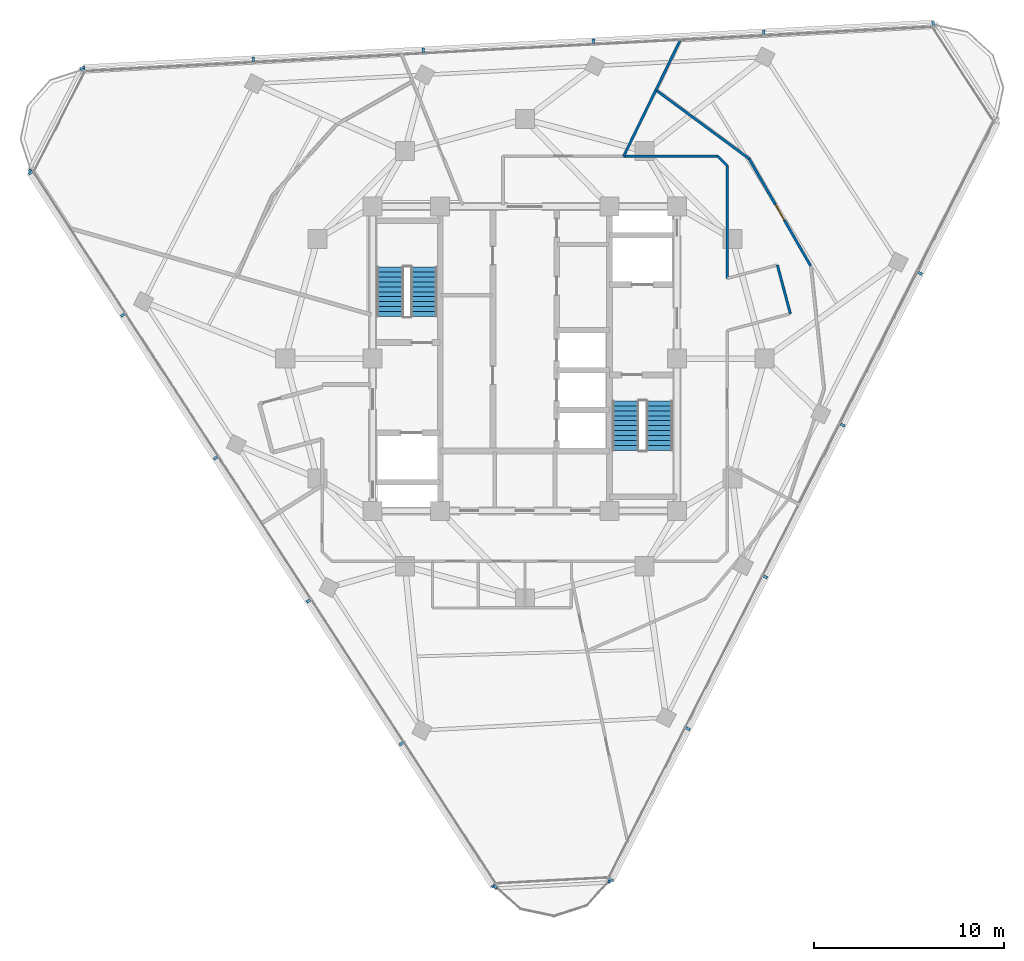
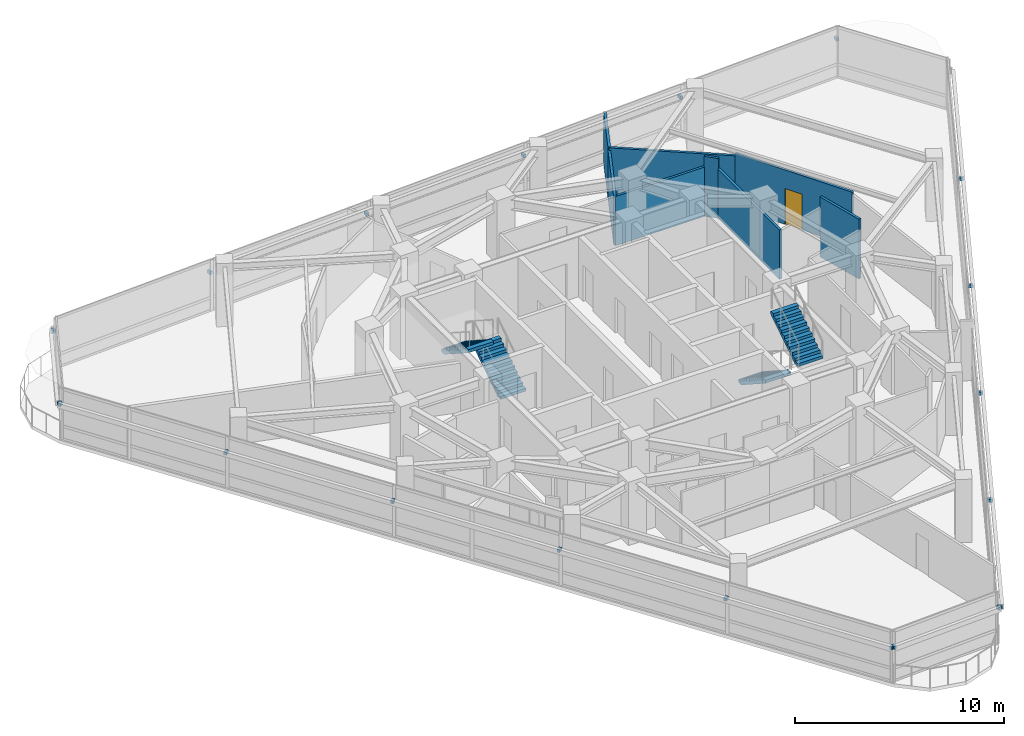
# One storey, part 10 of 15: 21 discrete accessories, 8 walls, 4 stair flights, 1 door, 1 opening, 2 elements without a shape of their own.
"""IFC4 building model written with IfcOpenShell, lengths in metres."""

from ifc_helpers import new_model, si_unit, direction, frame, frame_2d, origin, origin_2d, place, context, subcontext, project, spatial, polyline, rectangle, outline, extrude, material, layer, layer_set, type_object, element, fill, aggregate, save


model = new_model("IFC4")

# Units and contexts
model_context = context("Model", 3, precision=1e-05, world=origin(), true_north=direction((0.0, 1.0)))
body_context = subcontext(model_context, "Body", "Model", "MODEL_VIEW")
ifc_project = project(units=[si_unit("LENGTHUNIT", "METRE"), si_unit("AREAUNIT", "SQUARE_METRE"), si_unit("VOLUMEUNIT", "CUBIC_METRE"), si_unit("PLANEANGLEUNIT", "RADIAN"), si_unit("MASSUNIT", "GRAM", prefix="KILO")], contexts=[model_context])

# Site, building, storey
site_placement = place(None, origin())
site = spatial("IfcSite", under=ifc_project, at=site_placement, CompositionType="ELEMENT")
building_placement = place(site_placement, origin())
building = spatial("IfcBuilding", under=site, at=building_placement, Name="Terralouvre Media Tower", CompositionType="ELEMENT")
storey_placement = place(building_placement, frame((0.0, 0.0, 263.300048828125)))
storey = spatial("IfcBuildingStorey", under=building, at=storey_placement, Name="L68", CompositionType="ELEMENT", Elevation=263.300048828125)

# Walls
ifc_material_1 = material(Name="Fire-rated gypsum board drywall partition")
ifc_layer = layer(ifc_material_1, 0.135009765625, Name="Newsroom Acoustic Partition PT-135")
ifc_layer_set = layer_set([ifc_layer], Name="Fire-rated gypsum board drywall partition")
wall_type = type_object("IfcWallType", Name="Newsroom Acoustic Partition PT-135", PredefinedType="PARTITIONING", material=ifc_layer_set)
wall_1_placement = place(storey_placement, frame((13.9619140625, 2.368896484375, 0.0), z_axis=(0.0, 0.0, 1.0), x_axis=(-0.258413725385, 0.966034340245, 0.0)))
element("IfcWall", 1, at=wall_1_placement, inside=storey, type_object=wall_type, Name="L68 Interior Partition 008", PredefinedType="PARTITIONING", context=body_context, shape_type="SweptSolid", body=[
    extrude(rectangle(XDim=2.650146484375, YDim=0.135009765625, at=frame_2d((1.3251953125, 0.0))), origin(), (0.0, 0.0, 1.0), 3.5),
])
wall_2_placement = place(storey_placement, frame((10.64990234375, 4.22509765625, 0.0), z_axis=(0.0, 0.0, 1.0), x_axis=(0.0, 1.0, 0.0)))
element("IfcWall", 2, at=wall_2_placement, inside=storey, type_object=wall_type, Name="L68 Interior Partition 010", PredefinedType="PARTITIONING", context=body_context, shape_type="SweptSolid", body=[
    extrude(rectangle(XDim=5.9248046875, YDim=0.135009765625, at=frame_2d((2.96240234375, 0.0))), origin(), (0.0, 0.0, 1.0), 2.885009765625),
])
wall_3_placement = place(storey_placement, frame((10.64990234375, 10.14990234375, 0.0), z_axis=(0.0, 0.0, 1.0), x_axis=(-0.707106781187, 0.707106781187, 0.0)))
element("IfcWall", 3, at=wall_3_placement, inside=storey, type_object=wall_type, Name="L68 Interior Partition 011", PredefinedType="PARTITIONING", context=body_context, shape_type="SweptSolid", body=[
    extrude(rectangle(XDim=0.70703125, YDim=0.135009765625, at=frame_2d((0.353515625, 0.0))), origin(), (0.0, 0.0, 1.0), 3.5),
])
wall_4_placement = place(storey_placement, frame((10.14990234375, 10.64990234375, 0.0), z_axis=(0.0, 0.0, 1.0), x_axis=(-1.0, 0.0, 0.0)))
element("IfcWall", 4, at=wall_4_placement, inside=storey, type_object=wall_type, Name="L68 Interior Partition 012", PredefinedType="PARTITIONING", context=body_context, shape_type="SweptSolid", body=[
    extrude(rectangle(XDim=4.955810546875, YDim=0.135009765625, at=frame_2d((2.47802734375, 0.0))), origin(), (0.0, 0.0, 1.0), 2.885009765625),
])

# Wall, opening, door
wall_5_placement = place(storey_placement, frame((15.027099609375, 4.882080078125, 0.0), z_axis=(0.0, 0.0, 1.0), x_axis=(-0.498082419026, 0.867129692639, 0.0)))
wall_5 = element("IfcWall", 5, at=wall_5_placement, inside=storey, type_object=wall_type, Name="L68 Interior Partition 030", PredefinedType="PARTITIONING", context=body_context, shape_type="SweptSolid", body=[
    extrude(rectangle(XDim=6.5029296875, YDim=0.135009765625, at=frame_2d((3.25146484375, 0.0))), origin(), (0.0, 0.0, 1.0), 3.18505859375),
])
opening_placement = place(wall_5_placement, frame((2.79150390625, 0.0, 0.0)))
opening = element("IfcOpeningElement", 6, at=opening_placement, cuts=wall_5, Name="Opening ID-03-92X210", PredefinedType="OPENING", context=body_context, shape_type="SweptSolid", body=[
    extrude(rectangle(XDim=0.919921875, YDim=2.10009765625, at=frame_2d((0.4599609375, 1.050048828125))), frame((0.0, 0.077392578125, 0.0), z_axis=(0.0, -1.0, 0.0), x_axis=(1.0, 0.0, 0.0)), (0.0, 0.0, 1.0), 0.155029296875),
])
ifc_material_2 = material(Name="Engineered hardwood acoustic timber leaf", Category="wood")
door_type = type_object("IfcDoorType", Name="Accessible Restroom and Suite Door ID-03 (920x2100)", OperationType="NOTDEFINED", PredefinedType="DOOR", material=ifc_material_2)
door_placement = place(opening_placement, origin())
door = element("IfcDoor", 7, at=door_placement, inside=storey, type_object=door_type, Name="L68 Breaking Desk Editorial Office 6 Door", OperationType="SINGLE_SWING_LEFT", OverallHeight=2.10009765625, OverallWidth=0.919921875, PredefinedType="DOOR", context=body_context, shape_type="SweptSolid", body=[
    extrude(rectangle(XDim=0.919921875, YDim=2.10009765625, at=frame_2d((0.4599609375, 1.050048828125))), frame((0.0, 0.02490234375, 0.0), z_axis=(0.0, -1.0, 0.0), x_axis=(1.0, 0.0, 0.0)), (0.0, 0.0, 1.0), 0.050048828125),
])
fill(opening, door)

# Walls
wall_6_placement = place(storey_placement, frame((11.7880859375, 10.52099609375, 0.0), z_axis=(0.0, 0.0, 1.0), x_axis=(-0.805162772786, 0.593053883993, 0.0)))
element("IfcWall", 8, at=wall_6_placement, inside=storey, type_object=wall_type, Name="L68 Interior Partition 031", PredefinedType="PARTITIONING", context=body_context, shape_type="SweptSolid", body=[
    extrude(rectangle(XDim=6.08203125, YDim=0.135009765625, at=frame_2d((3.041015625, 0.0))), origin(), (0.0, 0.0, 1.0), 3.034912109375),
])
wall_7_placement = place(storey_placement, frame((6.89111328125, 14.1279296875, 0.0), z_axis=(0.0, 0.0, 1.0), x_axis=(-0.438511877771, -0.898725393573, 0.0)))
element("IfcWall", 9, at=wall_7_placement, inside=storey, type_object=wall_type, Name="L68 Interior Partition 032", PredefinedType="PARTITIONING", context=body_context, shape_type="SweptSolid", body=[
    extrude(rectangle(XDim=3.869873046875, YDim=0.135009765625, at=frame_2d((1.93505859375, 0.0))), origin(), (0.0, 0.0, 1.0), 2.885009765625),
])
wall_8_placement = place(storey_placement, frame((8.19580078125, 16.8046875, 0.0), z_axis=(0.0, 0.0, 1.0), x_axis=(-0.438139314435, -0.898907081486, 0.0)))
element("IfcWall", 10, at=wall_8_placement, inside=storey, type_object=wall_type, Name="L68 Interior Partition 046", PredefinedType="PARTITIONING", context=body_context, shape_type="SweptSolid", body=[
    extrude(rectangle(XDim=2.977783203125, YDim=0.135009765625, at=frame_2d((1.48876953125, 0.0))), origin(), (0.0, 0.0, 1.0), 3.034912109375),
])

# Stair, stair flights
ifc_material_3 = material(Name="Concrete C45/55", Category="concrete")
stair_type_1 = type_object("IfcStairType", Name="Dogleg Stair Assembly ST-01", PredefinedType="HALF_TURN_STAIR", material=ifc_material_3)
stair_1_placement = place(storey_placement, origin())
stair_1 = element("IfcStair", 11, at=stair_1_placement, inside=storey, type_object=stair_type_1, Name="L68 Core Pressurised Exit Stair ST-01", PredefinedType="HALF_TURN_STAIR")
ifc_material_4 = material(Name="Concrete C45/55", Category="concrete")
stair_flight_type = type_object("IfcStairFlightType", Name="Reinforced Concrete Stair Flight SF-RC1", PredefinedType="STRAIGHT", material=ifc_material_4)
stair_flight_1_placement = place(storey_placement, frame((-5.300048828125, 2.219970703125, 0.0), z_axis=(0.0, 0.0, 1.0), x_axis=(0.0, 1.0, 0.0)))
stair_flight_1 = element("IfcStairFlight", 12, at=stair_flight_1_placement, type_object=stair_flight_type, Name="ST-01 flight 1", NumberOfRisers=11, NumberOfTreads=10, PredefinedType="STRAIGHT", RiserHeight=0.168181818, TreadLength=0.26, context=body_context, shape_type="SweptSolid", body=[
    extrude(outline(polyline([(0.0, 0.0), (0.0, 0.168212890625), (0.260009765625, 0.168212890625), (0.260009765625, 0.33642578125), (0.52001953125, 0.33642578125), (0.52001953125, 0.504638671875), (0.780029296875, 0.504638671875), (0.780029296875, 0.672607421875), (1.0400390625, 0.672607421875), (1.0400390625, 0.8408203125), (1.300048828125, 0.8408203125), (1.300048828125, 1.009033203125), (1.56005859375, 1.009033203125), (1.56005859375, 1.17724609375), (1.820068359375, 1.17724609375), (1.820068359375, 1.345458984375), (2.080078125, 1.345458984375), (2.080078125, 1.513671875), (2.340087890625, 1.513671875), (2.340087890625, 1.681884765625), (2.60009765625, 1.681884765625), (2.60009765625, 1.85009765625), (2.60009765625, 1.503173828125), (0.27587890625, 0.0), (0.0, 0.0)])), frame((0.0, 0.699951171875, 0.0), z_axis=(0.0, -1.0, 0.0), x_axis=(1.0, 0.0, 0.0)), (0.0, 0.0, 1.0), 1.39990234375),
])
stair_flight_2_placement = place(storey_placement, frame((-7.080078125, 4.820068359375, 1.849853515625), z_axis=(0.0, 0.0, 1.0), x_axis=(0.0, -1.0, 0.0)))
stair_flight_2 = element("IfcStairFlight", 13, at=stair_flight_2_placement, type_object=stair_flight_type, Name="ST-01 flight 2", NumberOfRisers=11, NumberOfTreads=10, PredefinedType="STRAIGHT", RiserHeight=0.168181818, TreadLength=0.26, context=body_context, shape_type="SweptSolid", body=[
    extrude(outline(polyline([(0.0, 0.0), (0.0, 0.168212890625), (0.260009765625, 0.168212890625), (0.260009765625, 0.33642578125), (0.52001953125, 0.33642578125), (0.52001953125, 0.504638671875), (0.780029296875, 0.504638671875), (0.780029296875, 0.672607421875), (1.0400390625, 0.672607421875), (1.0400390625, 0.8408203125), (1.300048828125, 0.8408203125), (1.300048828125, 1.009033203125), (1.56005859375, 1.009033203125), (1.56005859375, 1.17724609375), (1.820068359375, 1.17724609375), (1.820068359375, 1.345458984375), (2.080078125, 1.345458984375), (2.080078125, 1.513671875), (2.340087890625, 1.513671875), (2.340087890625, 1.681884765625), (2.60009765625, 1.681884765625), (2.60009765625, 1.85009765625), (2.60009765625, 1.503173828125), (0.27587890625, 0.0), (0.0, 0.0)])), frame((0.0, 0.699951171875, 0.0), z_axis=(0.0, -1.0, 0.0), x_axis=(1.0, 0.0, 0.0)), (0.0, 0.0, 1.0), 1.39990234375),
])
aggregate(stair_1, [stair_flight_1, stair_flight_2])

ifc_material_5 = material(Name="Concrete C45/55", Category="concrete")
stair_type_2 = type_object("IfcStairType", Name="Dogleg Stair Assembly ST-02", PredefinedType="HALF_TURN_STAIR", material=ifc_material_5)
stair_2_placement = place(storey_placement, origin())
stair_2 = element("IfcStair", 14, at=stair_2_placement, inside=storey, type_object=stair_type_2, Name="L68 Core Pressurised Exit Stair ST-02", PredefinedType="HALF_TURN_STAIR")
stair_flight_3_placement = place(storey_placement, frame((5.300048828125, -2.219970703125, 0.0), z_axis=(0.0, 0.0, 1.0), x_axis=(0.0, -1.0, 0.0)))
stair_flight_3 = element("IfcStairFlight", 15, at=stair_flight_3_placement, type_object=stair_flight_type, Name="ST-02 flight 1", NumberOfRisers=11, NumberOfTreads=10, PredefinedType="STRAIGHT", RiserHeight=0.168181818, TreadLength=0.26, context=body_context, shape_type="SweptSolid", body=[
    extrude(outline(polyline([(0.0, 0.0), (0.0, 0.168212890625), (0.260009765625, 0.168212890625), (0.260009765625, 0.33642578125), (0.52001953125, 0.33642578125), (0.52001953125, 0.504638671875), (0.780029296875, 0.504638671875), (0.780029296875, 0.672607421875), (1.0400390625, 0.672607421875), (1.0400390625, 0.8408203125), (1.300048828125, 0.8408203125), (1.300048828125, 1.009033203125), (1.56005859375, 1.009033203125), (1.56005859375, 1.17724609375), (1.820068359375, 1.17724609375), (1.820068359375, 1.345458984375), (2.080078125, 1.345458984375), (2.080078125, 1.513671875), (2.340087890625, 1.513671875), (2.340087890625, 1.681884765625), (2.60009765625, 1.681884765625), (2.60009765625, 1.85009765625), (2.60009765625, 1.503173828125), (0.27587890625, 0.0), (0.0, 0.0)])), frame((0.0, 0.699951171875, 0.0), z_axis=(0.0, -1.0, 0.0), x_axis=(1.0, 0.0, 0.0)), (0.0, 0.0, 1.0), 1.39990234375),
])
stair_flight_4_placement = place(storey_placement, frame((7.080078125, -4.820068359375, 1.849853515625), z_axis=(0.0, 0.0, 1.0), x_axis=(0.0, 1.0, 0.0)))
stair_flight_4 = element("IfcStairFlight", 16, at=stair_flight_4_placement, type_object=stair_flight_type, Name="ST-02 flight 2", NumberOfRisers=11, NumberOfTreads=10, PredefinedType="STRAIGHT", RiserHeight=0.168181818, TreadLength=0.26, context=body_context, shape_type="SweptSolid", body=[
    extrude(outline(polyline([(0.0, 0.0), (0.0, 0.168212890625), (0.260009765625, 0.168212890625), (0.260009765625, 0.33642578125), (0.52001953125, 0.33642578125), (0.52001953125, 0.504638671875), (0.780029296875, 0.504638671875), (0.780029296875, 0.672607421875), (1.0400390625, 0.672607421875), (1.0400390625, 0.8408203125), (1.300048828125, 0.8408203125), (1.300048828125, 1.009033203125), (1.56005859375, 1.009033203125), (1.56005859375, 1.17724609375), (1.820068359375, 1.17724609375), (1.820068359375, 1.345458984375), (2.080078125, 1.345458984375), (2.080078125, 1.513671875), (2.340087890625, 1.513671875), (2.340087890625, 1.681884765625), (2.60009765625, 1.681884765625), (2.60009765625, 1.85009765625), (2.60009765625, 1.503173828125), (0.27587890625, 0.0), (0.0, 0.0)])), frame((0.0, 0.699951171875, 0.0), z_axis=(0.0, -1.0, 0.0), x_axis=(1.0, 0.0, 0.0)), (0.0, 0.0, 1.0), 1.39990234375),
])
aggregate(stair_2, [stair_flight_3, stair_flight_4])

# Discrete accessories
ifc_material_6 = material(Name="Anodised extruded aluminium 6063-T6", Category="aluminium")
discrete_accessory_type = type_object("IfcDiscreteAccessoryType", Name="Mullion Stand-Off Baguette Fixing Bracket BK-01", PredefinedType="BRACKET", material=ifc_material_6)
for number, where, z_axis, x_axis, name in (
    (17, (4.52490234375, -27.403564453125, 2.07421875), (0.0, 0.0, 1.0), (0.45399044259, 0.891006553308, 0.0), "CW-L68-F0 Baguette Outrigger Bracket 1.01"),
    (18, (8.57568359375, -19.45361328125, 2.07421875), (0.0, 0.0, 1.0), (0.45399044259, 0.891006553308, 0.0), "CW-L68-F0 Baguette Outrigger Bracket 1.02"),
    (19, (12.643310546875, -11.47021484375, 2.07421875), (0.0, 0.0, 1.0), (0.45399044259, 0.891006553308, 0.0), "CW-L68-F0 Baguette Outrigger Bracket 1.03"),
    (20, (16.711181640625, -3.48681640625, 2.07421875), (0.0, 0.0, 1.0), (0.45399044259, 0.891006553308, 0.0), "CW-L68-F0 Baguette Outrigger Bracket 1.04"),
    (21, (20.77880859375, 4.49658203125, 2.07421875), (0.0, 0.0, 1.0), (0.45399044259, 0.891006553308, 0.0), "CW-L68-F0 Baguette Outrigger Bracket 1.05"),
    (22, (21.4697265625, 17.620361328125, 2.07421875), (0.0, 0.0, 1.0), (-0.998629523875, -0.052336163844, 0.0), "CW-L68-F1 Baguette Outrigger Bracket 1.01"),
    (23, (12.5595703125, 17.153564453125, 2.07421875), (0.0, 0.0, 1.0), (-0.998629523875, -0.052336163844, 0.0), "CW-L68-F1 Baguette Outrigger Bracket 1.02"),
    (24, (3.61181640625, 16.6845703125, 2.07421875), (0.0, 0.0, 1.0), (-0.998629523875, -0.052336163844, 0.0), "CW-L68-F1 Baguette Outrigger Bracket 1.03"),
    (25, (-5.3359375, 16.215576171875, 2.07421875), (0.0, 0.0, 1.0), (-0.998629523875, -0.052336163844, 0.0), "CW-L68-F1 Baguette Outrigger Bracket 1.04"),
    (26, (-14.28369140625, 15.74658203125, 2.07421875), (0.0, 0.0, 1.0), (-0.998629523875, -0.052336163844, 0.0), "CW-L68-F1 Baguette Outrigger Bracket 1.05"),
    (27, (-23.194091796875, 15.27978515625, 2.07421875), (0.0, 0.0, 1.0), (-0.998629523875, -0.052336163844, 0.0), "CW-L68-F1 Baguette Outrigger Bracket 1.06"),
    (28, (-25.99462890625, 9.783203125, 2.07421875), (0.0, 0.0, 1.0), (0.544639069077, -0.838670545826, 0.0), "CW-L68-F2 Baguette Outrigger Bracket 1.01"),
    (29, (-21.135009765625, 2.300048828125, 2.07421875), (0.0, 0.0, 1.0), (0.544639069077, -0.838670545826, 0.0), "CW-L68-F2 Baguette Outrigger Bracket 1.02"),
    (30, (-16.255126953125, -5.21435546875, 2.07421875), (0.0, 0.0, 1.0), (0.544639069077, -0.838670545826, 0.0), "CW-L68-F2 Baguette Outrigger Bracket 1.03"),
    (31, (-11.375244140625, -12.72900390625, 2.07421875), (0.0, 0.0, 1.0), (0.544639069077, -0.838670545826, 0.0), "CW-L68-F2 Baguette Outrigger Bracket 1.04"),
    (32, (-6.4951171875, -20.243408203125, 2.07421875), (0.0, 0.0, 1.0), (0.544639069077, -0.838670545826, 0.0), "CW-L68-F2 Baguette Outrigger Bracket 1.05"),
    (33, (-1.6357421875, -27.726318359375, 2.07421875), (0.0, 0.0, 1.0), (0.544639069077, -0.838670545826, 0.0), "CW-L68-F2 Baguette Outrigger Bracket 1.06"),
    (34, (-1.543212890625, -27.754150390625, 2.07421875), (0.0, 0.0, 1.0), (0.998629533744, 0.05233597552, 0.0), "CW-L68-C0 Baguette Outrigger Bracket 1.01"),
    (35, (4.435791015625, -27.440673828125, 2.07421875), (0.0, 0.0, 1.0), (0.998629533744, 0.05233597552, 0.0), "CW-L68-C0 Baguette Outrigger Bracket 1.02"),
    (36, (-23.26416015625, 15.21337890625, 2.07421875), (0.0, 0.0, 1.0), (-0.453990349937, -0.891006600517, 0.0), "CW-L68-C2 Baguette Outrigger Bracket 1.01"),
    (37, (-25.982177734375, 9.87890625, 2.07421875), (0.0, 0.0, 1.0), (-0.453990349937, -0.891006600517, 0.0), "CW-L68-C2 Baguette Outrigger Bracket 1.02"),
):
    element("IfcDiscreteAccessory", number, at=place(storey_placement, frame(where, z_axis=z_axis, x_axis=x_axis)), inside=storey, type_object=discrete_accessory_type, Name=name, PredefinedType="BRACKET", context=body_context, shape_type="SweptSolid", body=[
        extrude(rectangle(XDim=0.139892578125, YDim=0.239990234375, at=origin_2d()), origin(), (0.0, 0.0, 1.0), 0.179931640625),
    ])

save(model, "model.ifc")
